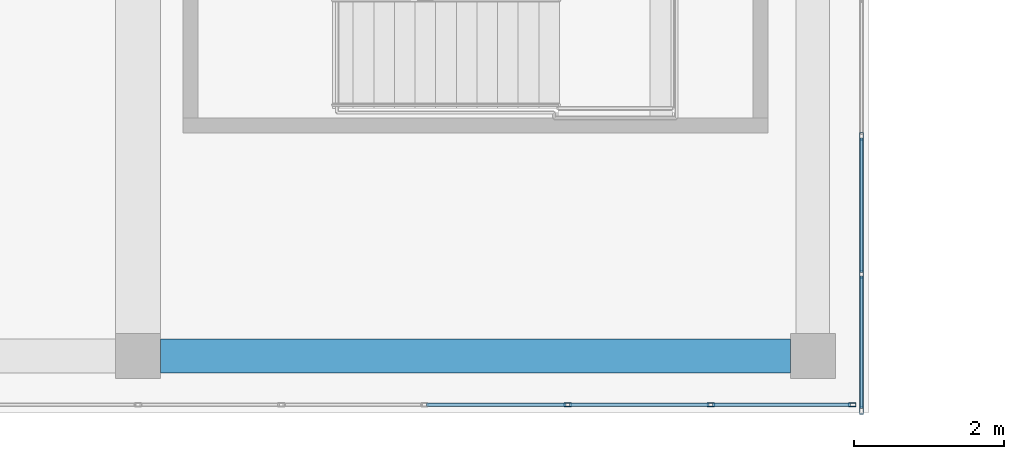
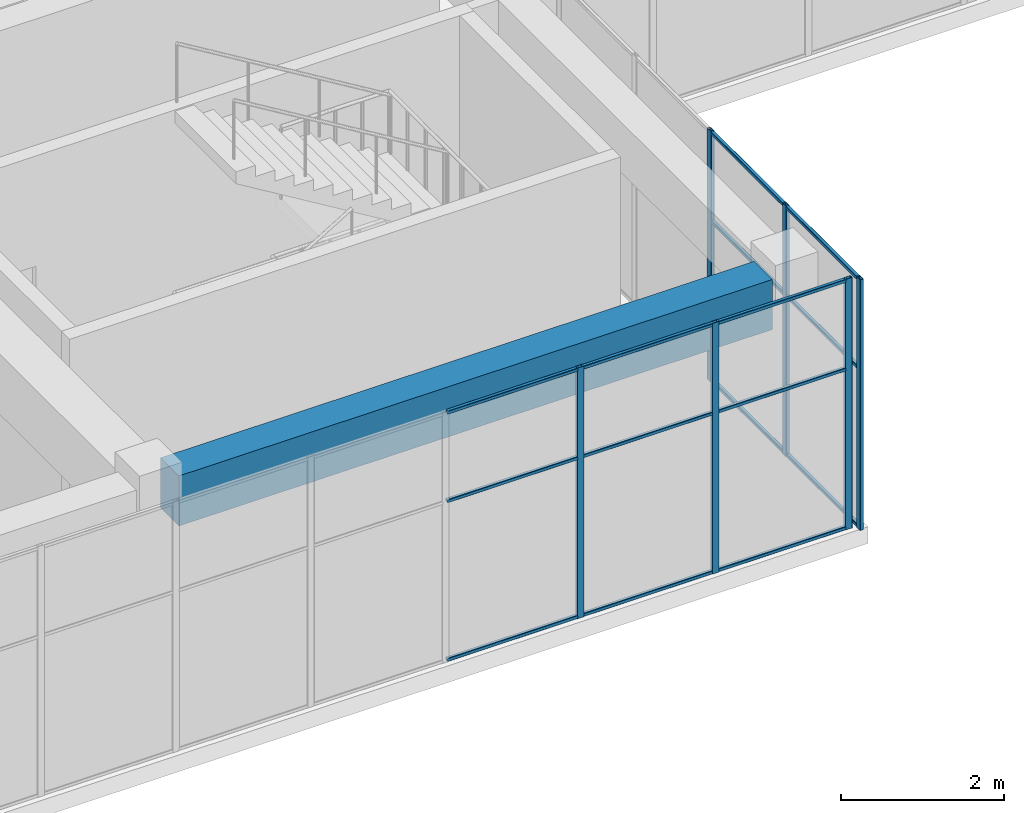
# One storey, part 8 of 35: 21 members, 1 beam, 2 elements without a shape of their own.
"""IFC4 building model written with IfcOpenShell, lengths in metres."""

from ifc_helpers import new_model, si_unit, direction, frame, origin, origin_2d, place, context, subcontext, project, spatial, rectangle, hollow_rectangle, extrude, material, layer, layer_set, material_profile, profile_set, type_object, element, aggregate, save


model = new_model("IFC4")

# Units and contexts
model_context = context("Model", 3, precision=1e-05, world=origin(), true_north=direction((0.0, 1.0)))
body_context = subcontext(model_context, "Body", "Model", "MODEL_VIEW")
ifc_project = project(units=[si_unit("LENGTHUNIT", "METRE"), si_unit("AREAUNIT", "SQUARE_METRE"), si_unit("VOLUMEUNIT", "CUBIC_METRE"), si_unit("PLANEANGLEUNIT", "RADIAN"), si_unit("MASSUNIT", "GRAM", prefix="KILO")], contexts=[model_context])

# Site, building, storey
site_placement = place(None, origin())
site = spatial("IfcSite", under=ifc_project, at=site_placement, CompositionType="ELEMENT")
building_placement = place(site_placement, origin())
building = spatial("IfcBuilding", under=site, at=building_placement, Name="Tuart Plaza Theatre", CompositionType="ELEMENT")
storey_placement = place(building_placement, frame((0.0, 0.0, 45.5)))
storey = spatial("IfcBuildingStorey", under=building, at=storey_placement, Name="L11", CompositionType="ELEMENT", Elevation=45.5)

# Beam
ifc_material_1 = material(Name="Concrete N40 (40 MPa)", Category="concrete")
ifc_material_profile_1 = material_profile(ifc_material_1, rectangle(XDim=0.449951171875, YDim=0.75, at=origin_2d()), Name="BEAM 450x750 Concrete N40 (40 MPa)")
ifc_profile_set_1 = profile_set([ifc_material_profile_1], Name="Concrete N40 (40 MPa)")
beam_type = type_object("IfcBeamType", Name="BEAM 450x750 Concrete N40 (40 MPa)", PredefinedType="BEAM", material=ifc_profile_set_1)
beam_placement = place(storey_placement, frame((132.300048828125, 56.0, 3.375), z_axis=(1.0, 0.0, 0.0), x_axis=(0.0, 1.0, 0.0)))
element("IfcBeam", 1, at=beam_placement, inside=storey, type_object=beam_type, Name="RB301", PredefinedType="BEAM", context=body_context, shape_type="SweptSolid", body=[
    extrude(rectangle(XDim=0.449951171875, YDim=0.75, at=origin_2d()), origin(), (0.0, 0.0, 1.0), 8.39990234375),
])

# Curtain wall, members
ifc_material_2 = material(Name="Aluminium and glass", Category="aluminium")
ifc_layer = layer(ifc_material_2, 0.10009765625)
ifc_layer_set = layer_set([ifc_layer], Name="CURTAIN WALL 2000 module")
curtain_wall_type = type_object("IfcCurtainWallType", Name="CURTAIN WALL 2000 module", PredefinedType="NOTDEFINED", material=ifc_layer_set)
curtain_wall_1_placement = place(storey_placement, origin())
curtain_wall_1 = element("IfcCurtainWall", 2, at=curtain_wall_1_placement, inside=storey, type_object=curtain_wall_type, Name="CW100", PredefinedType="NOTDEFINED")
ifc_material_3 = material(Name="Aluminium 6063-T5", Category="aluminium")
ifc_material_profile_2 = material_profile(ifc_material_3, hollow_rectangle(XDim=0.050048828125, YDim=0.10009765625, WallThickness=0.00390625, InnerFilletRadius=0.00390625, OuterFilletRadius=0.008056640625, at=origin_2d()), Name="RHS 100x50x4")
ifc_profile_set_2 = profile_set([ifc_material_profile_2], Name="Aluminium 6063-T5")
member_type_1 = type_object("IfcMemberType", Name="MULLION RHS 100x50x4", PredefinedType="MULLION", material=ifc_profile_set_2)
member_1_placement = place(storey_placement, frame((141.64990234375, 55.27490234375, 0.0), z_axis=(0.0, 0.0, 1.0), x_axis=(-1.0, 0.0, 0.0)))
member_1 = element("IfcMember", 3, at=member_1_placement, type_object=member_type_1, Name="CW100 mullion 1", PredefinedType="MULLION", context=body_context, shape_type="SweptSolid", body=[
    extrude(hollow_rectangle(XDim=0.050048828125, YDim=0.10009765625, WallThickness=0.00390625, InnerFilletRadius=0.00390625, OuterFilletRadius=0.008056640625, at=origin_2d()), origin(), (0.0, 0.0, 1.0), 3.75),
])
member_2_placement = place(storey_placement, frame((141.64990234375, 57.090087890625, 0.0), z_axis=(0.0, 0.0, 1.0), x_axis=(-1.0, 0.0, 0.0)))
member_2 = element("IfcMember", 4, at=member_2_placement, type_object=member_type_1, Name="CW100 mullion 2", PredefinedType="MULLION", context=body_context, shape_type="SweptSolid", body=[
    extrude(hollow_rectangle(XDim=0.050048828125, YDim=0.10009765625, WallThickness=0.00390625, InnerFilletRadius=0.00390625, OuterFilletRadius=0.008056640625, at=origin_2d()), origin(), (0.0, 0.0, 1.0), 3.75),
])
member_3_placement = place(storey_placement, frame((141.64990234375, 58.929931640625, 0.0), z_axis=(0.0, 0.0, 1.0), x_axis=(-1.0, 0.0, 0.0)))
member_3 = element("IfcMember", 5, at=member_3_placement, type_object=member_type_1, Name="CW100 mullion 3", PredefinedType="MULLION", context=body_context, shape_type="SweptSolid", body=[
    extrude(hollow_rectangle(XDim=0.050048828125, YDim=0.10009765625, WallThickness=0.00390625, InnerFilletRadius=0.00390625, OuterFilletRadius=0.008056640625, at=origin_2d()), origin(), (0.0, 0.0, 1.0), 3.75),
])

curtain_wall_2_placement = place(storey_placement, origin())
curtain_wall_2 = element("IfcCurtainWall", 6, at=curtain_wall_2_placement, inside=storey, type_object=curtain_wall_type, Name="CW111", PredefinedType="NOTDEFINED")
member_4_placement = place(storey_placement, frame((137.72998046875, 55.35009765625, 0.0), z_axis=(0.0, 0.0, 1.0), x_axis=(0.0, 1.0, 0.0)))
member_4 = element("IfcMember", 7, at=member_4_placement, type_object=member_type_1, Name="CW111 mullion 9", PredefinedType="MULLION", context=body_context, shape_type="SweptSolid", body=[
    extrude(hollow_rectangle(XDim=0.050048828125, YDim=0.10009765625, WallThickness=0.00390625, InnerFilletRadius=0.00390625, OuterFilletRadius=0.008056640625, at=origin_2d()), origin(), (0.0, 0.0, 1.0), 3.75),
])
member_5_placement = place(storey_placement, frame((139.639892578125, 55.35009765625, 0.0), z_axis=(0.0, 0.0, 1.0), x_axis=(0.0, 1.0, 0.0)))
member_5 = element("IfcMember", 8, at=member_5_placement, type_object=member_type_1, Name="CW111 mullion 10", PredefinedType="MULLION", context=body_context, shape_type="SweptSolid", body=[
    extrude(hollow_rectangle(XDim=0.050048828125, YDim=0.10009765625, WallThickness=0.00390625, InnerFilletRadius=0.00390625, OuterFilletRadius=0.008056640625, at=origin_2d()), origin(), (0.0, 0.0, 1.0), 3.75),
])
member_6_placement = place(storey_placement, frame((141.52490234375, 55.35009765625, 0.0), z_axis=(0.0, 0.0, 1.0), x_axis=(0.0, 1.0, 0.0)))
member_6 = element("IfcMember", 9, at=member_6_placement, type_object=member_type_1, Name="CW111 mullion 11", PredefinedType="MULLION", context=body_context, shape_type="SweptSolid", body=[
    extrude(hollow_rectangle(XDim=0.050048828125, YDim=0.10009765625, WallThickness=0.00390625, InnerFilletRadius=0.00390625, OuterFilletRadius=0.008056640625, at=origin_2d()), origin(), (0.0, 0.0, 1.0), 3.75),
])

# Member
ifc_material_4 = material(Name="Aluminium 6063-T5", Category="aluminium")
ifc_material_profile_3 = material_profile(ifc_material_4, hollow_rectangle(XDim=0.050048828125, YDim=0.050048828125, WallThickness=0.00390625, InnerFilletRadius=0.00390625, OuterFilletRadius=0.008056640625, at=origin_2d()), Name="RHS 50x50x4")
ifc_profile_set_3 = profile_set([ifc_material_profile_3], Name="Aluminium 6063-T5")
member_type_2 = type_object("IfcMemberType", Name="TRANSOM RHS 50x50x4", PredefinedType="USERDEFINED", material=ifc_profile_set_3)
member_7_placement = place(storey_placement, frame((141.64990234375, 55.300048828125, 0.02490234375), z_axis=(0.0, 1.0, 0.0), x_axis=(-1.0, 0.0, 0.0)))
member_7 = element("IfcMember", 10, at=member_7_placement, type_object=member_type_2, Name="CW100 transom 1.1", ObjectType="TRANSOM", PredefinedType="USERDEFINED", context=body_context, shape_type="SweptSolid", body=[
    extrude(hollow_rectangle(XDim=0.050048828125, YDim=0.050048828125, WallThickness=0.00390625, InnerFilletRadius=0.00390625, OuterFilletRadius=0.008056640625, at=origin_2d()), origin(), (0.0, 0.0, 1.0), 1.764892578125),
])

member_8_placement = place(storey_placement, frame((141.64990234375, 55.300048828125, 2.39990234375), z_axis=(0.0, 1.0, 0.0), x_axis=(-1.0, 0.0, 0.0)))
member_8 = element("IfcMember", 11, at=member_8_placement, type_object=member_type_2, Name="CW100 transom 1.2", ObjectType="TRANSOM", PredefinedType="USERDEFINED", context=body_context, shape_type="SweptSolid", body=[
    extrude(hollow_rectangle(XDim=0.050048828125, YDim=0.050048828125, WallThickness=0.00390625, InnerFilletRadius=0.00390625, OuterFilletRadius=0.008056640625, at=origin_2d()), origin(), (0.0, 0.0, 1.0), 1.764892578125),
])

member_9_placement = place(storey_placement, frame((141.64990234375, 55.300048828125, 3.72509765625), z_axis=(0.0, 1.0, 0.0), x_axis=(-1.0, 0.0, 0.0)))
member_9 = element("IfcMember", 12, at=member_9_placement, type_object=member_type_2, Name="CW100 transom 1.3", ObjectType="TRANSOM", PredefinedType="USERDEFINED", context=body_context, shape_type="SweptSolid", body=[
    extrude(hollow_rectangle(XDim=0.050048828125, YDim=0.050048828125, WallThickness=0.00390625, InnerFilletRadius=0.00390625, OuterFilletRadius=0.008056640625, at=origin_2d()), origin(), (0.0, 0.0, 1.0), 1.764892578125),
])

member_10_placement = place(storey_placement, frame((141.64990234375, 57.114990234375, 0.02490234375), z_axis=(0.0, 1.0, 0.0), x_axis=(-1.0, 0.0, 0.0)))
member_10 = element("IfcMember", 13, at=member_10_placement, type_object=member_type_2, Name="CW100 transom 2.1", ObjectType="TRANSOM", PredefinedType="USERDEFINED", context=body_context, shape_type="SweptSolid", body=[
    extrude(hollow_rectangle(XDim=0.050048828125, YDim=0.050048828125, WallThickness=0.00390625, InnerFilletRadius=0.00390625, OuterFilletRadius=0.008056640625, at=origin_2d()), origin(), (0.0, 0.0, 1.0), 1.7900390625),
])

member_11_placement = place(storey_placement, frame((141.64990234375, 57.114990234375, 2.39990234375), z_axis=(0.0, 1.0, 0.0), x_axis=(-1.0, 0.0, 0.0)))
member_11 = element("IfcMember", 14, at=member_11_placement, type_object=member_type_2, Name="CW100 transom 2.2", ObjectType="TRANSOM", PredefinedType="USERDEFINED", context=body_context, shape_type="SweptSolid", body=[
    extrude(hollow_rectangle(XDim=0.050048828125, YDim=0.050048828125, WallThickness=0.00390625, InnerFilletRadius=0.00390625, OuterFilletRadius=0.008056640625, at=origin_2d()), origin(), (0.0, 0.0, 1.0), 1.7900390625),
])

member_12_placement = place(storey_placement, frame((141.64990234375, 57.114990234375, 3.72509765625), z_axis=(0.0, 1.0, 0.0), x_axis=(-1.0, 0.0, 0.0)))
member_12 = element("IfcMember", 15, at=member_12_placement, type_object=member_type_2, Name="CW100 transom 2.3", ObjectType="TRANSOM", PredefinedType="USERDEFINED", context=body_context, shape_type="SweptSolid", body=[
    extrude(hollow_rectangle(XDim=0.050048828125, YDim=0.050048828125, WallThickness=0.00390625, InnerFilletRadius=0.00390625, OuterFilletRadius=0.008056640625, at=origin_2d()), origin(), (0.0, 0.0, 1.0), 1.7900390625),
])

aggregate(curtain_wall_1, [member_1, member_2, member_3, member_7, member_8, member_9, member_10, member_11, member_12])

member_13_placement = place(storey_placement, frame((135.844970703125, 55.35009765625, 0.02490234375), z_axis=(1.0, 0.0, 0.0), x_axis=(0.0, 1.0, 0.0)))
member_13 = element("IfcMember", 16, at=member_13_placement, type_object=member_type_2, Name="CW111 transom 8.1", ObjectType="TRANSOM", PredefinedType="USERDEFINED", context=body_context, shape_type="SweptSolid", body=[
    extrude(hollow_rectangle(XDim=0.050048828125, YDim=0.050048828125, WallThickness=0.00390625, InnerFilletRadius=0.00390625, OuterFilletRadius=0.008056640625, at=origin_2d()), origin(), (0.0, 0.0, 1.0), 1.860107421875),
])

member_14_placement = place(storey_placement, frame((135.844970703125, 55.35009765625, 2.39990234375), z_axis=(1.0, 0.0, 0.0), x_axis=(0.0, 1.0, 0.0)))
member_14 = element("IfcMember", 17, at=member_14_placement, type_object=member_type_2, Name="CW111 transom 8.2", ObjectType="TRANSOM", PredefinedType="USERDEFINED", context=body_context, shape_type="SweptSolid", body=[
    extrude(hollow_rectangle(XDim=0.050048828125, YDim=0.050048828125, WallThickness=0.00390625, InnerFilletRadius=0.00390625, OuterFilletRadius=0.008056640625, at=origin_2d()), origin(), (0.0, 0.0, 1.0), 1.860107421875),
])

member_15_placement = place(storey_placement, frame((135.844970703125, 55.35009765625, 3.72509765625), z_axis=(1.0, 0.0, 0.0), x_axis=(0.0, 1.0, 0.0)))
member_15 = element("IfcMember", 18, at=member_15_placement, type_object=member_type_2, Name="CW111 transom 8.3", ObjectType="TRANSOM", PredefinedType="USERDEFINED", context=body_context, shape_type="SweptSolid", body=[
    extrude(hollow_rectangle(XDim=0.050048828125, YDim=0.050048828125, WallThickness=0.00390625, InnerFilletRadius=0.00390625, OuterFilletRadius=0.008056640625, at=origin_2d()), origin(), (0.0, 0.0, 1.0), 1.860107421875),
])

member_16_placement = place(storey_placement, frame((137.7548828125, 55.35009765625, 0.02490234375), z_axis=(1.0, 0.0, 0.0), x_axis=(0.0, 1.0, 0.0)))
member_16 = element("IfcMember", 19, at=member_16_placement, type_object=member_type_2, Name="CW111 transom 9.1", ObjectType="TRANSOM", PredefinedType="USERDEFINED", context=body_context, shape_type="SweptSolid", body=[
    extrude(hollow_rectangle(XDim=0.050048828125, YDim=0.050048828125, WallThickness=0.00390625, InnerFilletRadius=0.00390625, OuterFilletRadius=0.008056640625, at=origin_2d()), origin(), (0.0, 0.0, 1.0), 1.860107421875),
])

member_17_placement = place(storey_placement, frame((137.7548828125, 55.35009765625, 2.39990234375), z_axis=(1.0, 0.0, 0.0), x_axis=(0.0, 1.0, 0.0)))
member_17 = element("IfcMember", 20, at=member_17_placement, type_object=member_type_2, Name="CW111 transom 9.2", ObjectType="TRANSOM", PredefinedType="USERDEFINED", context=body_context, shape_type="SweptSolid", body=[
    extrude(hollow_rectangle(XDim=0.050048828125, YDim=0.050048828125, WallThickness=0.00390625, InnerFilletRadius=0.00390625, OuterFilletRadius=0.008056640625, at=origin_2d()), origin(), (0.0, 0.0, 1.0), 1.860107421875),
])

member_18_placement = place(storey_placement, frame((137.7548828125, 55.35009765625, 3.72509765625), z_axis=(1.0, 0.0, 0.0), x_axis=(0.0, 1.0, 0.0)))
member_18 = element("IfcMember", 21, at=member_18_placement, type_object=member_type_2, Name="CW111 transom 9.3", ObjectType="TRANSOM", PredefinedType="USERDEFINED", context=body_context, shape_type="SweptSolid", body=[
    extrude(hollow_rectangle(XDim=0.050048828125, YDim=0.050048828125, WallThickness=0.00390625, InnerFilletRadius=0.00390625, OuterFilletRadius=0.008056640625, at=origin_2d()), origin(), (0.0, 0.0, 1.0), 1.860107421875),
])

member_19_placement = place(storey_placement, frame((139.6650390625, 55.35009765625, 0.02490234375), z_axis=(1.0, 0.0, 0.0), x_axis=(0.0, 1.0, 0.0)))
member_19 = element("IfcMember", 22, at=member_19_placement, type_object=member_type_2, Name="CW111 transom 10.1", ObjectType="TRANSOM", PredefinedType="USERDEFINED", context=body_context, shape_type="SweptSolid", body=[
    extrude(hollow_rectangle(XDim=0.050048828125, YDim=0.050048828125, WallThickness=0.00390625, InnerFilletRadius=0.00390625, OuterFilletRadius=0.008056640625, at=origin_2d()), origin(), (0.0, 0.0, 1.0), 1.8349609375),
])

member_20_placement = place(storey_placement, frame((139.6650390625, 55.35009765625, 2.39990234375), z_axis=(1.0, 0.0, 0.0), x_axis=(0.0, 1.0, 0.0)))
member_20 = element("IfcMember", 23, at=member_20_placement, type_object=member_type_2, Name="CW111 transom 10.2", ObjectType="TRANSOM", PredefinedType="USERDEFINED", context=body_context, shape_type="SweptSolid", body=[
    extrude(hollow_rectangle(XDim=0.050048828125, YDim=0.050048828125, WallThickness=0.00390625, InnerFilletRadius=0.00390625, OuterFilletRadius=0.008056640625, at=origin_2d()), origin(), (0.0, 0.0, 1.0), 1.8349609375),
])

member_21_placement = place(storey_placement, frame((139.6650390625, 55.35009765625, 3.72509765625), z_axis=(1.0, 0.0, 0.0), x_axis=(0.0, 1.0, 0.0)))
member_21 = element("IfcMember", 24, at=member_21_placement, type_object=member_type_2, Name="CW111 transom 10.3", ObjectType="TRANSOM", PredefinedType="USERDEFINED", context=body_context, shape_type="SweptSolid", body=[
    extrude(hollow_rectangle(XDim=0.050048828125, YDim=0.050048828125, WallThickness=0.00390625, InnerFilletRadius=0.00390625, OuterFilletRadius=0.008056640625, at=origin_2d()), origin(), (0.0, 0.0, 1.0), 1.8349609375),
])

aggregate(curtain_wall_2, [member_4, member_5, member_6, member_13, member_14, member_15, member_16, member_17, member_18, member_19, member_20, member_21])

save(model, "model.ifc")
